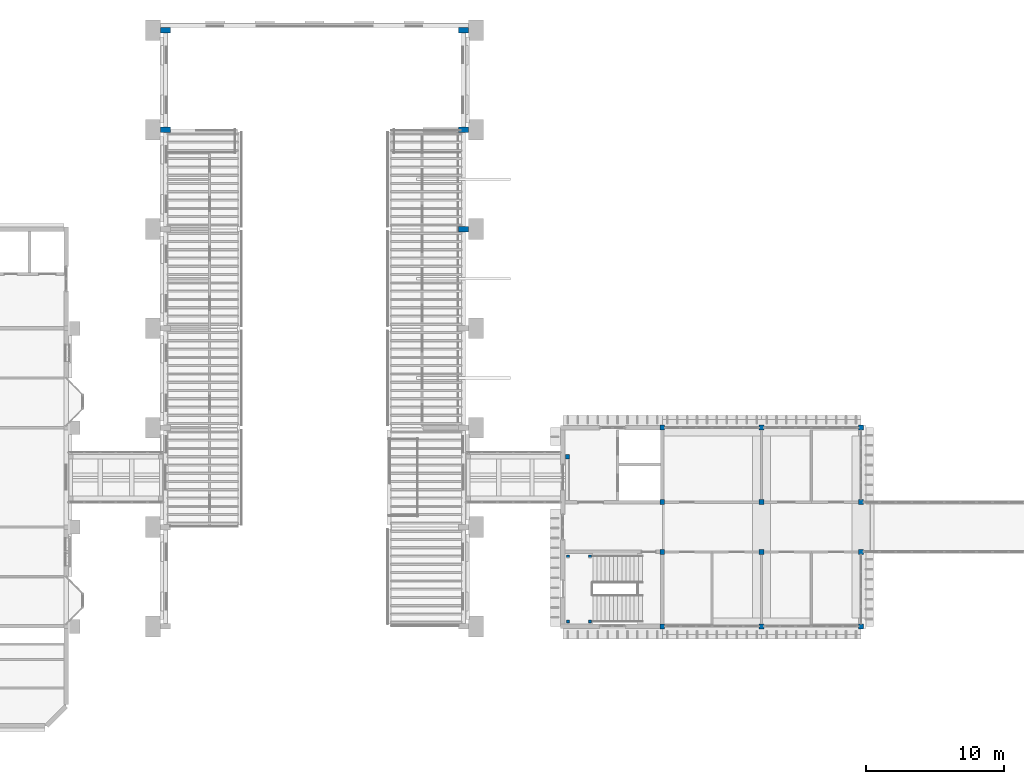
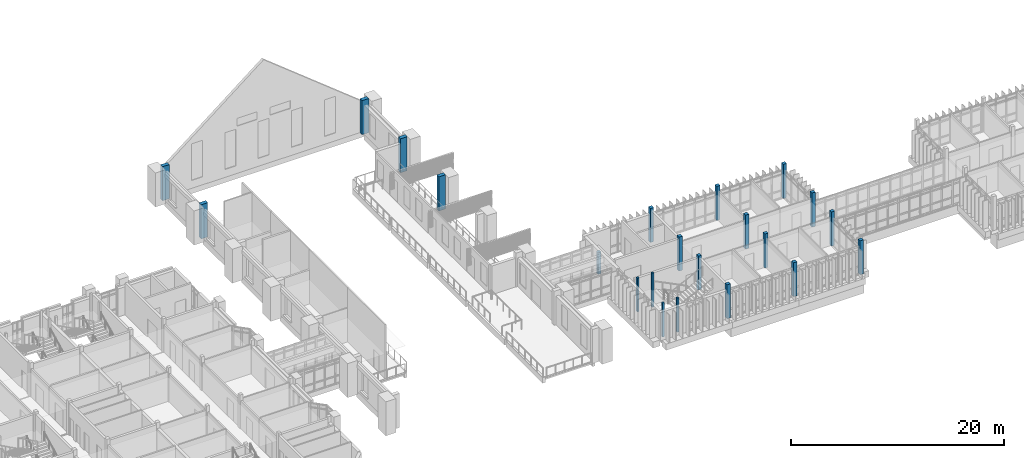
# One storey, part 2 of 69: 22 columns.
"""IFC4 building model written with IfcOpenShell, lengths in metres."""

from ifc_helpers import new_model, si_unit, direction, frame, origin, origin_2d, place, context, subcontext, project, spatial, rectangle, extrude, material, material_profile, profile_set, type_object, element, save


model = new_model("IFC4")

# Units and contexts
model_context = context("Model", 3, precision=1e-05, world=origin(), true_north=direction((0.0, 1.0)))
body_context = subcontext(model_context, "Body", "Model", "MODEL_VIEW")
ifc_project = project(units=[si_unit("LENGTHUNIT", "METRE"), si_unit("AREAUNIT", "SQUARE_METRE"), si_unit("VOLUMEUNIT", "CUBIC_METRE"), si_unit("PLANEANGLEUNIT", "RADIAN"), si_unit("MASSUNIT", "GRAM", prefix="KILO")], contexts=[model_context])

# Site, building, storey
site_placement = place(None, origin())
site = spatial("IfcSite", under=ifc_project, at=site_placement, CompositionType="ELEMENT")
building_placement = place(site_placement, origin())
building = spatial("IfcBuilding", under=site, at=building_placement, Name="Mazhai Court Health Centre", CompositionType="ELEMENT")
storey_placement = place(building_placement, frame((0.0, 0.0, 6.300048828125)))
storey = spatial("IfcBuildingStorey", under=building, at=storey_placement, Name="L01", CompositionType="ELEMENT", Elevation=6.300048828125)

# Columns
ifc_material_1 = material(Name="Glulam GL28h", Category="wood")
ifc_material_profile_1 = material_profile(ifc_material_1, rectangle(XDim=0.320068359375, YDim=0.320068359375, at=origin_2d()), Name="GL28h 320x320")
ifc_profile_set_1 = profile_set([ifc_material_profile_1], Name="Glulam GL28h")
column_type_1 = type_object("IfcColumnType", Name="GL28h 320x320 column", PredefinedType="COLUMN", material=ifc_profile_set_1)
column_placement = place(storey_placement, frame((71.330078125, 25.7099609375, 0.0), z_axis=(0.0, 0.0, 1.0), x_axis=(1.0, 0.0, 0.0)))
element("IfcColumn", 1, at=column_placement, inside=storey, type_object=column_type_1, Name="post-BR-P2-E-S", PredefinedType="COLUMN", context=body_context, shape_type="SweptSolid", body=[
    extrude(rectangle(XDim=0.320068359375, YDim=0.320068359375, at=origin_2d()), origin(), (0.0, 0.0, 1.0), 2.5048828125),
])
ifc_material_2 = material(Name="Glulam GL28h", Category="wood")
ifc_material_profile_2 = material_profile(ifc_material_2, rectangle(XDim=0.360107421875, YDim=0.360107421875, at=origin_2d()), Name="GL28h 360x360")
ifc_profile_set_2 = profile_set([ifc_material_profile_2], Name="Glulam GL28h")
column_type_2 = type_object("IfcColumnType", Name="GL28h 360x360 column", PredefinedType="COLUMN", material=ifc_profile_set_2)
for number, where, z_axis, x_axis, name in (
    (2, (78.199951171875, 13.39990234375, 0.0), (0.0, 0.0, 1.0), (1.0, 0.0, 0.0), "col-V4-L01-01-A"),
    (3, (78.199951171875, 18.800048828125, 0.0), (0.0, 0.0, 1.0), (1.0, 0.0, 0.0), "col-V4-L01-01-B"),
    (4, (78.199951171875, 22.39990234375, 0.0), (0.0, 0.0, 1.0), (1.0, 0.0, 0.0), "col-V4-L01-01-C"),
    (5, (78.199951171875, 27.800048828125, 0.0), (0.0, 0.0, 1.0), (1.0, 0.0, 0.0), "col-V4-L01-01-D"),
    (6, (85.39990234375, 13.39990234375, 0.0), (0.0, 0.0, 1.0), (1.0, 0.0, 0.0), "col-V4-L01-02-A"),
    (7, (85.39990234375, 18.800048828125, 0.0), (0.0, 0.0, 1.0), (1.0, 0.0, 0.0), "col-V4-L01-02-B"),
    (8, (85.39990234375, 22.39990234375, 0.0), (0.0, 0.0, 1.0), (1.0, 0.0, 0.0), "col-V4-L01-02-C"),
    (9, (85.39990234375, 27.800048828125, 0.0), (0.0, 0.0, 1.0), (1.0, 0.0, 0.0), "col-V4-L01-02-D"),
    (10, (92.60009765625, 13.39990234375, 0.0), (0.0, 0.0, 1.0), (1.0, 0.0, 0.0), "col-V4-L01-03-A"),
    (11, (92.60009765625, 18.800048828125, 0.0), (0.0, 0.0, 1.0), (1.0, 0.0, 0.0), "col-V4-L01-03-B"),
    (12, (92.60009765625, 22.39990234375, 0.0), (0.0, 0.0, 1.0), (1.0, 0.0, 0.0), "col-V4-L01-03-C"),
    (13, (92.60009765625, 27.800048828125, 0.0), (0.0, 0.0, 1.0), (1.0, 0.0, 0.0), "col-V4-L01-03-D"),
):
    element("IfcColumn", number, at=place(storey_placement, frame(where, z_axis=z_axis, x_axis=x_axis)), inside=storey, type_object=column_type_2, Name=name, PredefinedType="COLUMN", context=body_context, shape_type="SweptSolid", body=[
        extrude(rectangle(XDim=0.360107421875, YDim=0.360107421875, at=origin_2d()), origin(), (0.0, 0.0, 1.0), 3.89990234375),
    ])
ifc_material_3 = material(Name="Glulam GL28h", Category="wood")
ifc_material_profile_3 = material_profile(ifc_material_3, rectangle(XDim=0.39990234375, YDim=0.719970703125, at=origin_2d()), Name="GL28h 400x720")
ifc_profile_set_3 = profile_set([ifc_material_profile_3], Name="Glulam GL28h")
column_type_3 = type_object("IfcColumnType", Name="GL28h 400x720 column", PredefinedType="COLUMN", material=ifc_profile_set_3)
for number, where, z_axis, x_axis, name in (
    (14, (63.800048828125, 42.199951171875, 0.0), (0.0, 0.0, 1.0), (0.0, 1.0, 0.0), "col-V1-L01-wE4"),
    (15, (42.199951171875, 49.39990234375, 0.0), (0.0, 0.0, 1.0), (0.0, 1.0, 0.0), "col-V1-L01-wW5"),
    (16, (63.800048828125, 49.39990234375, 0.0), (0.0, 0.0, 1.0), (0.0, 1.0, 0.0), "col-V1-L01-wE5"),
    (17, (42.199951171875, 56.60009765625, 0.0), (0.0, 0.0, 1.0), (0.0, 1.0, 0.0), "col-V1-L01-wW6"),
    (18, (63.800048828125, 56.60009765625, 0.0), (0.0, 0.0, 1.0), (0.0, 1.0, 0.0), "col-V1-L01-wE6"),
):
    element("IfcColumn", number, at=place(storey_placement, frame(where, z_axis=z_axis, x_axis=x_axis)), inside=storey, type_object=column_type_3, Name=name, PredefinedType="COLUMN", context=body_context, shape_type="SweptSolid", body=[
        extrude(rectangle(XDim=0.39990234375, YDim=0.719970703125, at=origin_2d()), origin(), (0.0, 0.0, 1.0), 3.89990234375),
    ])
ifc_material_4 = material(Name="Concrete M40", Category="concrete")
ifc_material_profile_4 = material_profile(ifc_material_4, rectangle(XDim=0.199951171875, YDim=0.199951171875, at=origin_2d()), Name="RC 200x200")
ifc_profile_set_4 = profile_set([ifc_material_profile_4], Name="Concrete M40")
column_type_4 = type_object("IfcColumnType", Name="RC STAIR LANDING POST 200 M40", PredefinedType="COLUMN", material=ifc_profile_set_4)
for number, where, z_axis, x_axis, name in (
    (19, (71.3701171875, 13.760009765625, 0.0), (0.0, 0.0, 1.0), (1.0, 0.0, 0.0), "post-ST6-02"),
    (20, (71.3701171875, 18.47998046875, 0.0), (0.0, 0.0, 1.0), (1.0, 0.0, 0.0), "post-ST6-06"),
    (21, (72.969970703125, 13.760009765625, 0.0), (0.0, 0.0, 1.0), (1.0, 0.0, 0.0), "post-ST6-16"),
    (22, (72.969970703125, 18.47998046875, 0.0), (0.0, 0.0, 1.0), (1.0, 0.0, 0.0), "post-ST6-20"),
):
    element("IfcColumn", number, at=place(storey_placement, frame(where, z_axis=z_axis, x_axis=x_axis)), inside=storey, type_object=column_type_4, Name=name, PredefinedType="COLUMN", context=body_context, shape_type="SweptSolid", body=[
        extrude(rectangle(XDim=0.199951171875, YDim=0.199951171875, at=origin_2d()), origin(), (0.0, 0.0, 1.0), 3.89990234375),
    ])

save(model, "model.ifc")
